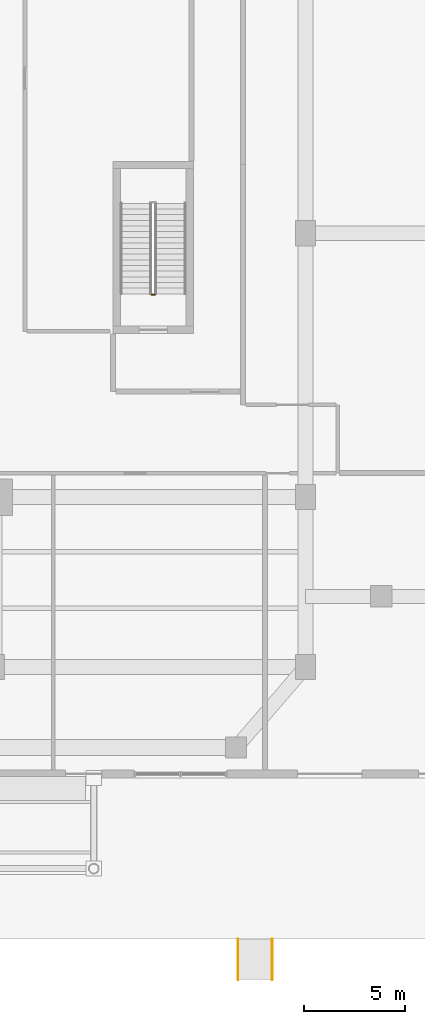
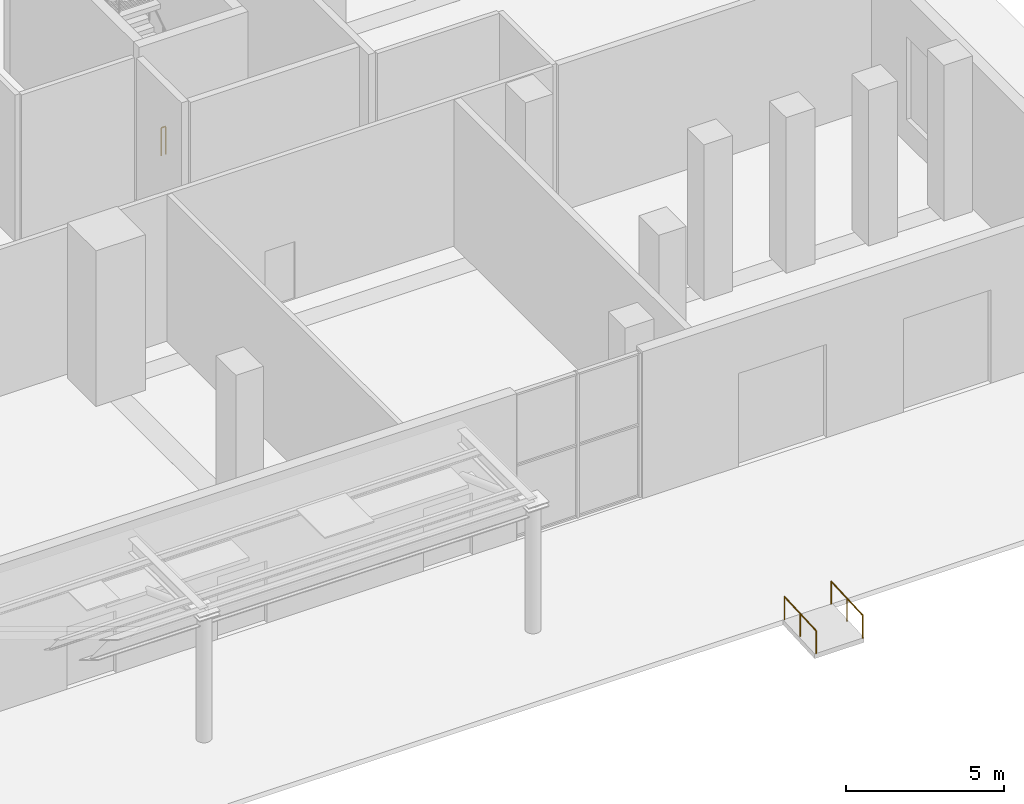
# One storey, part 22 of 25: 3 railings.
"""IFC4 building model written with IfcOpenShell, lengths in metres."""

from ifc_helpers import new_model, si_unit, direction, frame, origin, origin_2d, place, context, subcontext, project, spatial, circle, extrude, source, transform, mapped, material, type_object, element, save


model = new_model("IFC4")

# Units and contexts
model_context = context("Model", 3, precision=1e-05, world=origin(), true_north=direction((0.0, 1.0)))
body_context = subcontext(model_context, "Body", "Model", "MODEL_VIEW")
ifc_project = project(units=[si_unit("LENGTHUNIT", "METRE"), si_unit("AREAUNIT", "SQUARE_METRE"), si_unit("VOLUMEUNIT", "CUBIC_METRE"), si_unit("PLANEANGLEUNIT", "RADIAN"), si_unit("MASSUNIT", "GRAM", prefix="KILO"), si_unit("THERMODYNAMICTEMPERATUREUNIT", "KELVIN")], contexts=[model_context])

# Site, building, storey
site_placement = place(None, origin())
site = spatial("IfcSite", under=ifc_project, at=site_placement, CompositionType="ELEMENT")
building_placement = place(site_placement, origin())
building = spatial("IfcBuilding", under=site, at=building_placement, Name="Kosmvard Interchange Tower", CompositionType="ELEMENT")
storey_placement = place(building_placement, origin())
storey = spatial("IfcBuildingStorey", under=building, at=storey_placement, Name="L00", CompositionType="ELEMENT", Elevation=0.0)

# Railings
ifc_material = material(Name="Steel S355", Category="steel")
railing_type_1 = type_object("IfcRailingType", Name="Stair & Terrace Safety Guardrail 1100 Steel", PredefinedType="GUARDRAIL", material=ifc_material)
shared_shape_1 = source(origin(), body_context, "Body", "SweptSolid", [
    extrude(circle(Radius=0.02392578125, at=origin_2d()), frame((0.0, 0.0, 1.076171875), z_axis=(-1.0, 0.0, 0.0), x_axis=(0.0, -1.0, 0.0)), (0.0, 0.0, 1.0), 0.159912109375),
    extrude(circle(Radius=0.02099609375, at=origin_2d()), origin(), (0.0, 0.0, 1.0), 1.052001953125),
    extrude(circle(Radius=0.02099609375, at=origin_2d()), frame((-0.159912109375, 0.0, 0.0)), (0.0, 0.0, 1.0), 1.052001953125),
])
railing_placement = place(storey_placement, frame((21.030029296875, -3.050048828125, 0.0)))
element("IfcRailing", 1, at=railing_placement, inside=storey, type_object=railing_type_1, Name="L00 ST-4 stair guard 4", PredefinedType="GUARDRAIL", context=body_context, shape_type="MappedRepresentation", body=[
    mapped(shared_shape_1, transform((0.0, 0.0, 0.0), scale=1.0)),
])
railing_type_2 = type_object("IfcRailingType", Name="Wall-Mounted Stair Handrail 900 Steel", PredefinedType="HANDRAIL", material=ifc_material)
shared_shape_2 = source(origin(), body_context, "Body", "SweptSolid", [
    extrude(circle(Radius=0.02392578125, at=origin_2d()), frame((0.0, 0.0, 0.8759765625), z_axis=(0.0, 0.99874990542, 0.049986262356), x_axis=(-1.0, 0.0, 0.0)), (0.0, 0.0, 1.0), 2.00244140625),
    extrude(circle(Radius=0.02099609375, at=origin_2d()), origin(), (0.0, 0.0, 1.0), 0.851806640625),
    extrude(circle(Radius=0.02099609375, at=origin_2d()), frame((0.0, 1.0, 0.050048828125)), (0.0, 0.0, 1.0), 0.851806640625),
    extrude(circle(Radius=0.02099609375, at=origin_2d()), frame((0.0, 2.0, 0.10009765625)), (0.0, 0.0, 1.0), 0.851806640625),
])
for number, where, name in (
    (2, (25.14990234375, -37.0, -0.10009765625), "L00 Ramp Handrail RMP-S3-L"),
    (3, (26.85009765625, -37.0, -0.10009765625), "L00 Ramp Handrail RMP-S3-R"),
):
    element("IfcRailing", number, at=place(storey_placement, frame(where)), inside=storey, type_object=railing_type_2, Name=name, PredefinedType="HANDRAIL", context=body_context, shape_type="MappedRepresentation", body=[
        mapped(shared_shape_2, transform((0.0, 0.0, 0.0), scale=1.0)),
    ])

save(model, "model.ifc")
